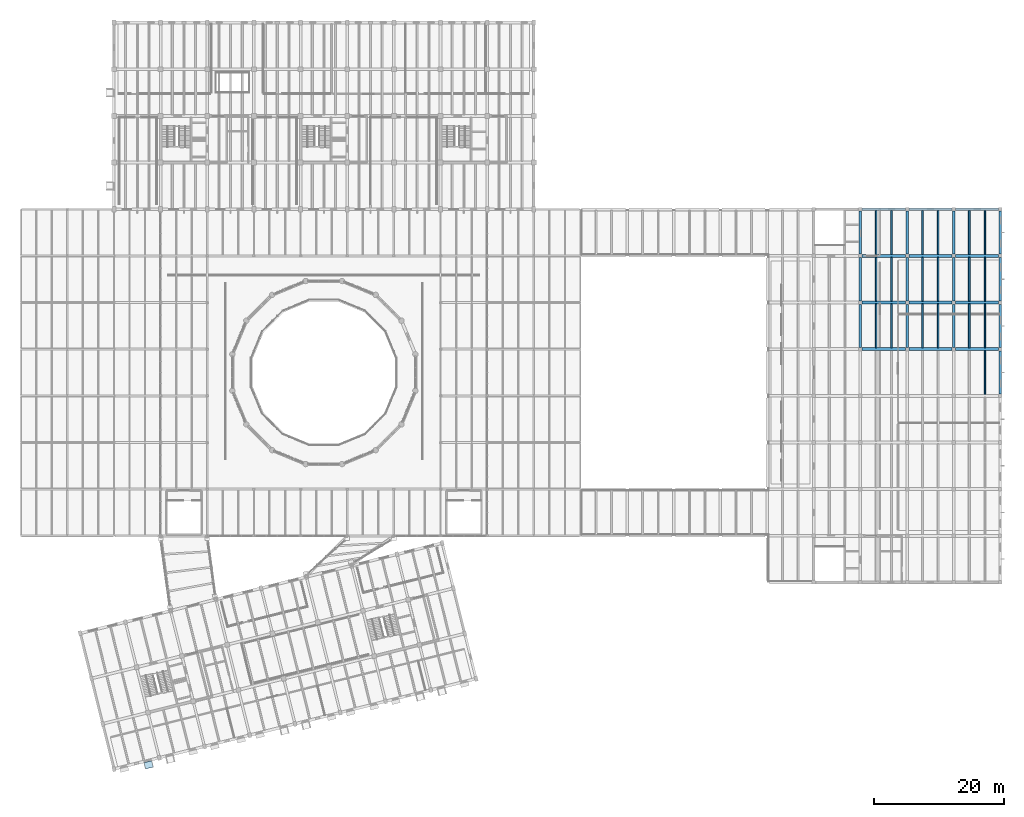
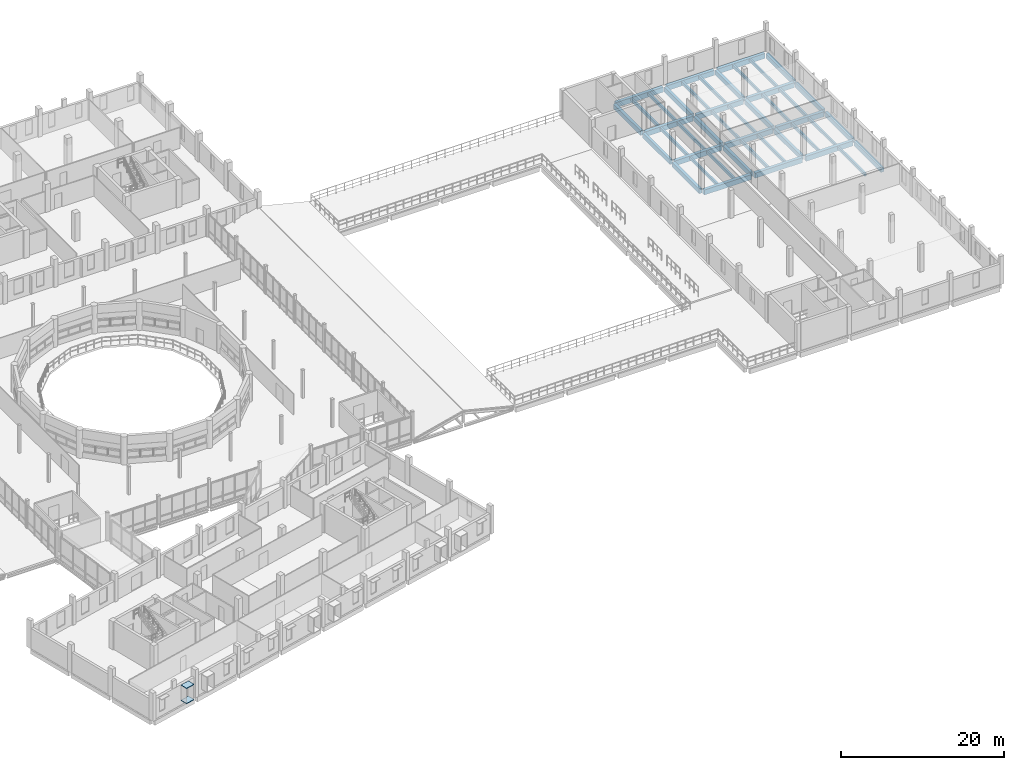
# One storey, part 37 of 63: 44 beams, 2 plates.
"""IFC4 building model written with IfcOpenShell, lengths in metres."""

from ifc_helpers import new_model, si_unit, direction, frame, origin, origin_2d, place, context, subcontext, project, spatial, polyline, rectangle, outline, extrude, material, layer, layer_set, material_profile, profile_set, type_object, element, save


model = new_model("IFC4")

# Units and contexts
model_context = context("Model", 3, precision=1e-05, world=origin(), true_north=direction((0.0, 1.0)))
body_context = subcontext(model_context, "Body", "Model", "MODEL_VIEW")
ifc_project = project(units=[si_unit("LENGTHUNIT", "METRE"), si_unit("AREAUNIT", "SQUARE_METRE"), si_unit("VOLUMEUNIT", "CUBIC_METRE"), si_unit("PLANEANGLEUNIT", "RADIAN"), si_unit("MASSUNIT", "GRAM", prefix="KILO")], contexts=[model_context])

# Site, building, storey
site_placement = place(None, origin())
site = spatial("IfcSite", under=ifc_project, at=site_placement, CompositionType="ELEMENT")
building_placement = place(site_placement, origin())
building = spatial("IfcBuilding", under=site, at=building_placement, Name="Qiaolan Assembly House", CompositionType="ELEMENT")
storey_placement = place(building_placement, frame((0.0, 0.0, 14.39990234375)))
storey = spatial("IfcBuildingStorey", under=building, at=storey_placement, Name="L03", CompositionType="ELEMENT", Elevation=14.39990234375)

# Beams
ifc_material_1 = material(Name="Concrete C40/50", Category="concrete")
ifc_material_profile_1 = material_profile(ifc_material_1, rectangle(XDim=0.39990234375, YDim=0.699951171875, at=origin_2d()), Name="RCB 400x700")
ifc_profile_set_1 = profile_set([ifc_material_profile_1], Name="Concrete C40/50")
beam_type_1 = type_object("IfcBeamType", Name="BM-RC-400x700", PredefinedType="BEAM", material=ifc_profile_set_1)
for number, where, z_axis, x_axis, name in (
    (1, (151.199951171875, 65.06494140625, -0.659912109375), (0.0, 1.0, 0.0), (-1.0, 0.0, 0.0), "GB-05 beam BMY-LB-L03-01-05"),
    (2, (151.199951171875, 72.264892578125, -0.659912109375), (0.0, 1.0, 0.0), (-1.0, 0.0, 0.0), "GB-05 beam BMY-LB-L03-01-06"),
):
    element("IfcBeam", number, at=place(storey_placement, frame(where, z_axis=z_axis, x_axis=x_axis)), inside=storey, type_object=beam_type_1, Name=name, PredefinedType="BEAM", context=body_context, shape_type="SweptSolid", body=[
        extrude(rectangle(XDim=0.39990234375, YDim=0.699951171875, at=origin_2d()), origin(), (0.0, 0.0, 1.0), 6.670166015625),
    ])
beam_1_placement = place(storey_placement, frame((151.199951171875, 79.465087890625, -0.659912109375), z_axis=(0.0, 1.0, 0.0), x_axis=(-1.0, 0.0, 0.0)))
element("IfcBeam", 3, at=beam_1_placement, inside=storey, type_object=beam_type_1, Name="GB-05 beam BMY-LB-L03-01-07", PredefinedType="BEAM", context=body_context, shape_type="SweptSolid", body=[
    extrude(rectangle(XDim=0.39990234375, YDim=0.699951171875, at=origin_2d()), origin(), (0.0, 0.0, 1.0), 6.669921875),
])
for number, where, z_axis, x_axis, name in (
    (4, (158.39990234375, 65.06494140625, -0.659912109375), (0.0, 1.0, 0.0), (-1.0, 0.0, 0.0), "GB-05 beam BMY-LB-L03-02-05"),
    (5, (158.39990234375, 72.264892578125, -0.659912109375), (0.0, 1.0, 0.0), (-1.0, 0.0, 0.0), "GB-05 beam BMY-LB-L03-02-06"),
):
    element("IfcBeam", number, at=place(storey_placement, frame(where, z_axis=z_axis, x_axis=x_axis)), inside=storey, type_object=beam_type_1, Name=name, PredefinedType="BEAM", context=body_context, shape_type="SweptSolid", body=[
        extrude(rectangle(XDim=0.39990234375, YDim=0.699951171875, at=origin_2d()), origin(), (0.0, 0.0, 1.0), 6.670166015625),
    ])
beam_2_placement = place(storey_placement, frame((158.39990234375, 79.465087890625, -0.659912109375), z_axis=(0.0, 1.0, 0.0), x_axis=(-1.0, 0.0, 0.0)))
element("IfcBeam", 6, at=beam_2_placement, inside=storey, type_object=beam_type_1, Name="GB-05 beam BMY-LB-L03-02-07", PredefinedType="BEAM", context=body_context, shape_type="SweptSolid", body=[
    extrude(rectangle(XDim=0.39990234375, YDim=0.699951171875, at=origin_2d()), origin(), (0.0, 0.0, 1.0), 6.669921875),
])
for number, where, z_axis, x_axis, name in (
    (7, (165.60009765625, 65.06494140625, -0.659912109375), (0.0, 1.0, 0.0), (-1.0, 0.0, 0.0), "GB-05 beam BMY-LB-L03-03-05"),
    (8, (165.60009765625, 72.264892578125, -0.659912109375), (0.0, 1.0, 0.0), (-1.0, 0.0, 0.0), "GB-05 beam BMY-LB-L03-03-06"),
):
    element("IfcBeam", number, at=place(storey_placement, frame(where, z_axis=z_axis, x_axis=x_axis)), inside=storey, type_object=beam_type_1, Name=name, PredefinedType="BEAM", context=body_context, shape_type="SweptSolid", body=[
        extrude(rectangle(XDim=0.39990234375, YDim=0.699951171875, at=origin_2d()), origin(), (0.0, 0.0, 1.0), 6.670166015625),
    ])
for number, where, z_axis, x_axis, name in (
    (9, (165.60009765625, 79.465087890625, -0.659912109375), (0.0, 1.0, 0.0), (-1.0, 0.0, 0.0), "GB-05 beam BMY-LB-L03-03-07"),
    (10, (172.800048828125, 57.864990234375, -0.659912109375), (0.0, 1.0, 0.0), (-1.0, 0.0, 0.0), "GB-05 beam BMY-LB-L03-04-04"),
):
    element("IfcBeam", number, at=place(storey_placement, frame(where, z_axis=z_axis, x_axis=x_axis)), inside=storey, type_object=beam_type_1, Name=name, PredefinedType="BEAM", context=body_context, shape_type="SweptSolid", body=[
        extrude(rectangle(XDim=0.39990234375, YDim=0.699951171875, at=origin_2d()), origin(), (0.0, 0.0, 1.0), 6.669921875),
    ])
for number, where, z_axis, x_axis, name in (
    (11, (172.800048828125, 65.06494140625, -0.659912109375), (0.0, 1.0, 0.0), (-1.0, 0.0, 0.0), "GB-05 beam BMY-LB-L03-04-05"),
    (12, (172.800048828125, 72.264892578125, -0.659912109375), (0.0, 1.0, 0.0), (-1.0, 0.0, 0.0), "GB-05 beam BMY-LB-L03-04-06"),
):
    element("IfcBeam", number, at=place(storey_placement, frame(where, z_axis=z_axis, x_axis=x_axis)), inside=storey, type_object=beam_type_1, Name=name, PredefinedType="BEAM", context=body_context, shape_type="SweptSolid", body=[
        extrude(rectangle(XDim=0.39990234375, YDim=0.699951171875, at=origin_2d()), origin(), (0.0, 0.0, 1.0), 6.670166015625),
    ])
beam_3_placement = place(storey_placement, frame((172.800048828125, 79.465087890625, -0.659912109375), z_axis=(0.0, 1.0, 0.0), x_axis=(-1.0, 0.0, 0.0)))
element("IfcBeam", 13, at=beam_3_placement, inside=storey, type_object=beam_type_1, Name="GB-05 beam BMY-LB-L03-04-07", PredefinedType="BEAM", context=body_context, shape_type="SweptSolid", body=[
    extrude(rectangle(XDim=0.39990234375, YDim=0.699951171875, at=origin_2d()), origin(), (0.0, 0.0, 1.0), 6.669921875),
])
ifc_material_profile_2 = material_profile(ifc_material_1, rectangle(XDim=0.449951171875, YDim=0.75, at=origin_2d()), Name="RCB 450x750")
ifc_profile_set_2 = profile_set([ifc_material_profile_2], Name="Concrete C40/50")
beam_type_2 = type_object("IfcBeamType", Name="BM-RC-450x750", PredefinedType="BEAM", material=ifc_profile_set_2)
for number, where, z_axis, x_axis, name in (
    (14, (151.465087890625, 64.800048828125, -0.684814453125), (1.0, 0.0, 0.0), (0.0, 1.0, 0.0), "GB-04 beam BMX-LB-L03-01-05"),
    (15, (158.6650390625, 64.800048828125, -0.684814453125), (1.0, 0.0, 0.0), (0.0, 1.0, 0.0), "GB-04 beam BMX-LB-L03-02-05"),
    (16, (165.864990234375, 64.800048828125, -0.684814453125), (1.0, 0.0, 0.0), (0.0, 1.0, 0.0), "GB-04 beam BMX-LB-L03-03-05"),
    (17, (151.465087890625, 72.0, -0.684814453125), (1.0, 0.0, 0.0), (0.0, 1.0, 0.0), "GB-04 beam BMX-LB-L03-01-06"),
    (18, (158.6650390625, 72.0, -0.684814453125), (1.0, 0.0, 0.0), (0.0, 1.0, 0.0), "GB-04 beam BMX-LB-L03-02-06"),
    (19, (165.864990234375, 72.0, -0.684814453125), (1.0, 0.0, 0.0), (0.0, 1.0, 0.0), "GB-04 beam BMX-LB-L03-03-06"),
    (20, (151.465087890625, 79.199951171875, -0.684814453125), (1.0, 0.0, 0.0), (0.0, 1.0, 0.0), "GB-04 beam BMX-LB-L03-01-07"),
    (21, (158.6650390625, 79.199951171875, -0.684814453125), (1.0, 0.0, 0.0), (0.0, 1.0, 0.0), "GB-04 beam BMX-LB-L03-02-07"),
    (22, (165.864990234375, 79.199951171875, -0.684814453125), (1.0, 0.0, 0.0), (0.0, 1.0, 0.0), "GB-04 beam BMX-LB-L03-03-07"),
    (23, (151.465087890625, 86.39990234375, -0.684814453125), (1.0, 0.0, 0.0), (0.0, 1.0, 0.0), "GB-04 beam BMX-LB-L03-01-08"),
    (24, (158.6650390625, 86.39990234375, -0.684814453125), (1.0, 0.0, 0.0), (0.0, 1.0, 0.0), "GB-04 beam BMX-LB-L03-02-08"),
    (25, (165.864990234375, 86.39990234375, -0.684814453125), (1.0, 0.0, 0.0), (0.0, 1.0, 0.0), "GB-04 beam BMX-LB-L03-03-08"),
):
    element("IfcBeam", number, at=place(storey_placement, frame(where, z_axis=z_axis, x_axis=x_axis)), inside=storey, type_object=beam_type_2, Name=name, PredefinedType="BEAM", context=body_context, shape_type="SweptSolid", body=[
        extrude(rectangle(XDim=0.449951171875, YDim=0.75, at=origin_2d()), origin(), (0.0, 0.0, 1.0), 6.669921875),
    ])
ifc_material_profile_3 = material_profile(ifc_material_1, rectangle(XDim=0.25, YDim=0.449951171875, at=origin_2d()), Name="RCB 250x450")
ifc_profile_set_3 = profile_set([ifc_material_profile_3], Name="Concrete C40/50")
beam_type_3 = type_object("IfcBeamType", Name="JST-RC-250x450", PredefinedType="JOIST", material=ifc_profile_set_3)
for number, where, z_axis, x_axis, name in (
    (26, (153.60009765625, 65.01904296875, -0.534912109375), (0.0, 1.0, 0.0), (-1.0, 0.0, 0.0), "RJ-02 beam JST-LB-L03-01-05-1"),
    (27, (156.0, 65.01904296875, -0.534912109375), (0.0, 1.0, 0.0), (-1.0, 0.0, 0.0), "RJ-02 beam JST-LB-L03-01-05-2"),
    (28, (153.60009765625, 72.218994140625, -0.534912109375), (0.0, 1.0, 0.0), (-1.0, 0.0, 0.0), "RJ-02 beam JST-LB-L03-01-06-1"),
    (29, (156.0, 72.218994140625, -0.534912109375), (0.0, 1.0, 0.0), (-1.0, 0.0, 0.0), "RJ-02 beam JST-LB-L03-01-06-2"),
    (30, (153.60009765625, 79.4189453125, -0.534912109375), (0.0, 1.0, 0.0), (-1.0, 0.0, 0.0), "RJ-02 beam JST-LB-L03-01-07-1"),
    (31, (156.0, 79.4189453125, -0.534912109375), (0.0, 1.0, 0.0), (-1.0, 0.0, 0.0), "RJ-02 beam JST-LB-L03-01-07-2"),
    (32, (160.800048828125, 65.01904296875, -0.534912109375), (0.0, 1.0, 0.0), (-1.0, 0.0, 0.0), "RJ-02 beam JST-LB-L03-02-05-1"),
    (33, (163.199951171875, 65.01904296875, -0.534912109375), (0.0, 1.0, 0.0), (-1.0, 0.0, 0.0), "RJ-02 beam JST-LB-L03-02-05-2"),
    (34, (160.800048828125, 72.218994140625, -0.534912109375), (0.0, 1.0, 0.0), (-1.0, 0.0, 0.0), "RJ-02 beam JST-LB-L03-02-06-1"),
    (35, (163.199951171875, 72.218994140625, -0.534912109375), (0.0, 1.0, 0.0), (-1.0, 0.0, 0.0), "RJ-02 beam JST-LB-L03-02-06-2"),
    (36, (160.800048828125, 79.4189453125, -0.534912109375), (0.0, 1.0, 0.0), (-1.0, 0.0, 0.0), "RJ-02 beam JST-LB-L03-02-07-1"),
    (37, (163.199951171875, 79.4189453125, -0.534912109375), (0.0, 1.0, 0.0), (-1.0, 0.0, 0.0), "RJ-02 beam JST-LB-L03-02-07-2"),
    (38, (170.39990234375, 57.819091796875, -0.534912109375), (0.0, 1.0, 0.0), (-1.0, 0.0, 0.0), "RJ-02 beam JST-LB-L03-03-04-2"),
    (39, (168.0, 65.01904296875, -0.534912109375), (0.0, 1.0, 0.0), (-1.0, 0.0, 0.0), "RJ-02 beam JST-LB-L03-03-05-1"),
    (40, (170.39990234375, 65.01904296875, -0.534912109375), (0.0, 1.0, 0.0), (-1.0, 0.0, 0.0), "RJ-02 beam JST-LB-L03-03-05-2"),
    (41, (168.0, 72.218994140625, -0.534912109375), (0.0, 1.0, 0.0), (-1.0, 0.0, 0.0), "RJ-02 beam JST-LB-L03-03-06-1"),
    (42, (170.39990234375, 72.218994140625, -0.534912109375), (0.0, 1.0, 0.0), (-1.0, 0.0, 0.0), "RJ-02 beam JST-LB-L03-03-06-2"),
    (43, (168.0, 79.4189453125, -0.534912109375), (0.0, 1.0, 0.0), (-1.0, 0.0, 0.0), "RJ-02 beam JST-LB-L03-03-07-1"),
    (44, (170.39990234375, 79.4189453125, -0.534912109375), (0.0, 1.0, 0.0), (-1.0, 0.0, 0.0), "RJ-02 beam JST-LB-L03-03-07-2"),
):
    element("IfcBeam", number, at=place(storey_placement, frame(where, z_axis=z_axis, x_axis=x_axis)), inside=storey, type_object=beam_type_3, Name=name, PredefinedType="JOIST", context=body_context, shape_type="SweptSolid", body=[
        extrude(rectangle(XDim=0.25, YDim=0.449951171875, at=origin_2d()), origin(), (0.0, 0.0, 1.0), 6.761962890625),
    ])

# Plates
ifc_material_2 = material(Name="Honed pale limestone", Category="masonry")
ifc_layer = layer(ifc_material_2, 0.080078125)
ifc_layer_set = layer_set([ifc_layer], Name="Honed pale limestone")
plate_type = type_object("IfcPlateType", Name="PLT-WINBOX-SURROUND", PredefinedType="SHEET", material=ifc_layer_set)
for number, where, name in (
    (45, (0.0, 0.0, 0.6201171875), "WB-01 projecting limestone window-box sill SES-L03-00-2"),
    (46, (0.0, 0.0, 2.89013671875), "WB-01 projecting limestone window-box hood SES-L03-00-2"),
):
    element("IfcPlate", number, at=place(storey_placement, frame(where)), inside=storey, type_object=plate_type, Name=name, PredefinedType="SHEET", context=body_context, shape_type="SweptSolid", body=[
        extrude(outline(polyline([(40.85546875, 0.01513671875), (42.087890625, 0.322265625), (41.845947265625, 1.292724609375), (40.61376953125, 0.9853515625), (40.85546875, 0.01513671875)])), origin(), (0.0, 0.0, 1.0), 0.080078125),
    ])

save(model, "model.ifc")
